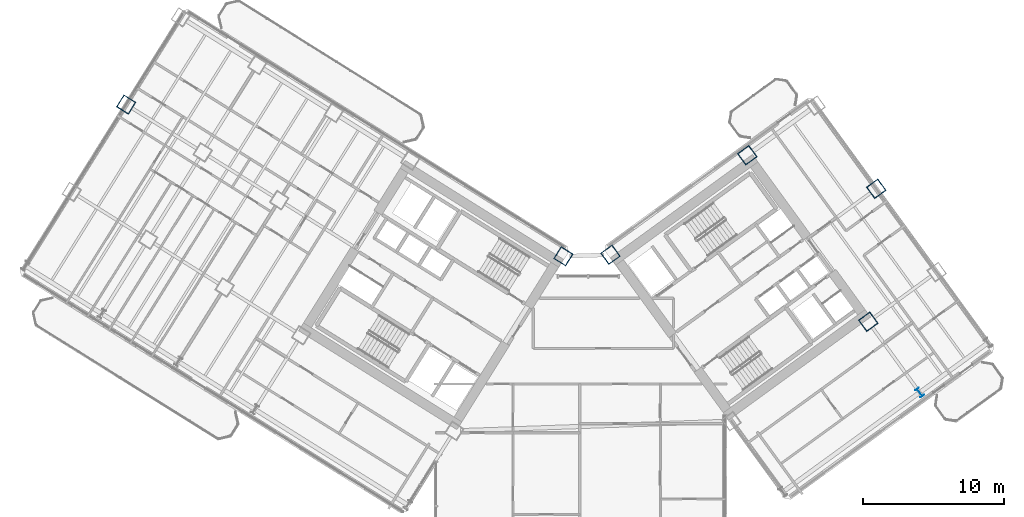
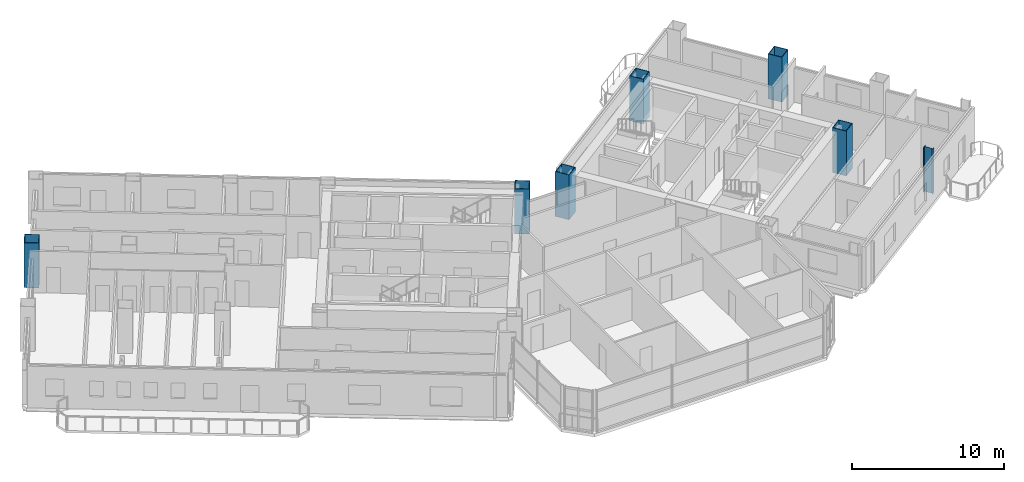
# One storey, part 2 of 28: 7 columns.
"""IFC4 building model written with IfcOpenShell, lengths in metres."""

from ifc_helpers import new_model, si_unit, direction, frame, origin, origin_2d, place, context, subcontext, project, spatial, hollow_rectangle, i_section, extrude, source, transform, mapped, material, material_profile, profile_set, type_object, element, save


model = new_model("IFC4")

# Units and contexts
model_context = context("Model", 3, precision=1e-05, world=origin(), true_north=direction((0.0, 1.0)))
body_context = subcontext(model_context, "Body", "Model", "MODEL_VIEW")
ifc_project = project(units=[si_unit("LENGTHUNIT", "METRE"), si_unit("AREAUNIT", "SQUARE_METRE"), si_unit("VOLUMEUNIT", "CUBIC_METRE"), si_unit("PLANEANGLEUNIT", "RADIAN"), si_unit("MASSUNIT", "GRAM", prefix="KILO")], contexts=[model_context])

# Site, building, storey
site_placement = place(None, origin())
site = spatial("IfcSite", under=ifc_project, at=site_placement, CompositionType="ELEMENT")
building_placement = place(site_placement, origin())
building = spatial("IfcBuilding", under=site, at=building_placement, Name="Tlacorven Tower", CompositionType="ELEMENT")
storey_placement = place(building_placement, frame((0.0, 0.0, 27.60009765625)))
storey = spatial("IfcBuildingStorey", under=building, at=storey_placement, Name="L06", CompositionType="ELEMENT", Elevation=27.60009765625)

# Columns
ifc_material = material(Name="Steel S460M", Category="steel")
ifc_material_profile_1 = material_profile(ifc_material, hollow_rectangle(XDim=1.0, YDim=1.0, WallThickness=0.0400390625, at=origin_2d()), Name="BOX 1000X1000X40")
ifc_profile_set_1 = profile_set([ifc_material_profile_1], Name="Steel S460M")
column_type_1 = type_object("IfcColumnType", Name="COL-TWR-S1", PredefinedType="COLUMN", material=ifc_profile_set_1)
shared_shape_1 = source(origin(), body_context, "Body", "SweptSolid", [
    extrude(hollow_rectangle(XDim=1.0, YDim=1.0, WallThickness=0.0400390625, at=origin_2d()), origin(), (0.0, 0.0, 1.0), 3.599853515625),
])
for number, where, z_axis, x_axis, name in (
    (1, (40.782958984375, 24.468505859375, 0.0), (0.0, 0.0, 1.0), (-0.848048096156, 0.529919264233, 0.0), "L06 column COL-L06-W1-1"),
    (2, (9.777099609375, 35.235107421875, 0.0), (0.0, 0.0, 1.0), (-0.848048096156, 0.529919264233, 0.0), "L06 column COL-L06-W6-2"),
    (3, (44.123779296875, 24.5849609375, 0.0), (0.0, 0.0, 1.0), (0.809016994375, 0.587785252292, 0.0), "L06 column COL-L06-E1-4"),
    (4, (62.41357421875, 19.826904296875, 0.0), (0.0, 0.0, 1.0), (0.809016994375, 0.587785252292, 0.0), "L06 column COL-L06-E3-2"),
    (5, (53.83203125, 31.638427734375, 0.0), (0.0, 0.0, 1.0), (0.809016994375, 0.587785252292, 0.0), "L06 column COL-L06-E3-4"),
    (6, (62.976806640625, 29.25927734375, 0.0), (0.0, 0.0, 1.0), (0.809016994375, 0.587785252292, 0.0), "L06 column COL-L06-E4-3"),
):
    element("IfcColumn", number, at=place(storey_placement, frame(where, z_axis=z_axis, x_axis=x_axis)), inside=storey, type_object=column_type_1, Name=name, PredefinedType="COLUMN", context=body_context, shape_type="MappedRepresentation", body=[
        mapped(shared_shape_1, transform((0.0, 0.0, 0.0), scale=1.0)),
    ])
ifc_material_profile_2 = material_profile(ifc_material, i_section(OverallWidth=0.300048828125, OverallDepth=0.64990234375, WebThickness=0.01611328125, FlangeThickness=0.031005859375, at=origin_2d()), Name="HEB 650")
ifc_profile_set_2 = profile_set([ifc_material_profile_2], Name="Steel S460M")
column_type_2 = type_object("IfcColumnType", Name="COL-TWR-P1", PredefinedType="COLUMN", material=ifc_profile_set_2)
shared_shape_2 = source(origin(), body_context, "Body", "SweptSolid", [
    extrude(i_section(OverallWidth=0.300048828125, OverallDepth=0.64990234375, WebThickness=0.01611328125, FlangeThickness=0.031005859375, at=origin_2d()), origin(), (0.0, 0.0, 1.0), 3.599853515625),
])
column_placement = place(storey_placement, frame((66.057861328125, 14.81103515625, 0.0), z_axis=(0.0, 0.0, 1.0), x_axis=(0.809016994375, 0.587785252292, 0.0)))
element("IfcColumn", 7, at=column_placement, inside=storey, type_object=column_type_2, Name="L06 column COL-L06-E3-1", PredefinedType="COLUMN", context=body_context, shape_type="MappedRepresentation", body=[
    mapped(shared_shape_2, transform((0.0, 0.0, 0.0), scale=1.0)),
])

save(model, "model.ifc")
